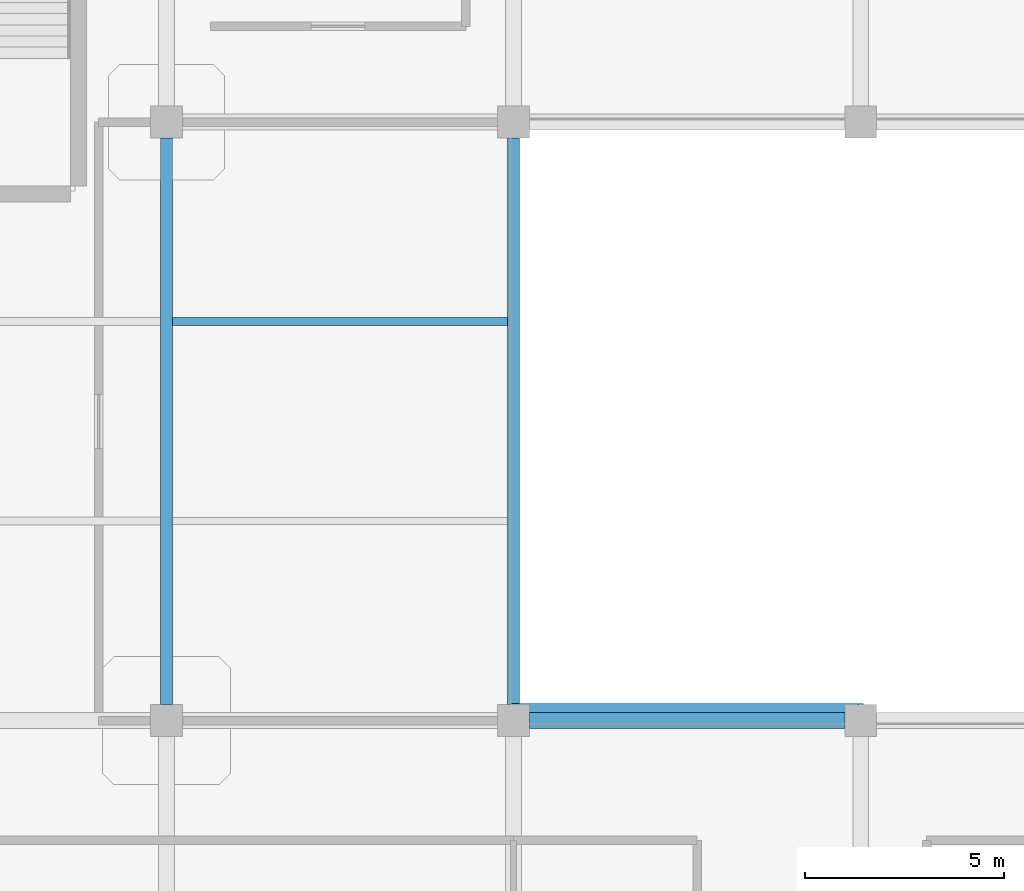
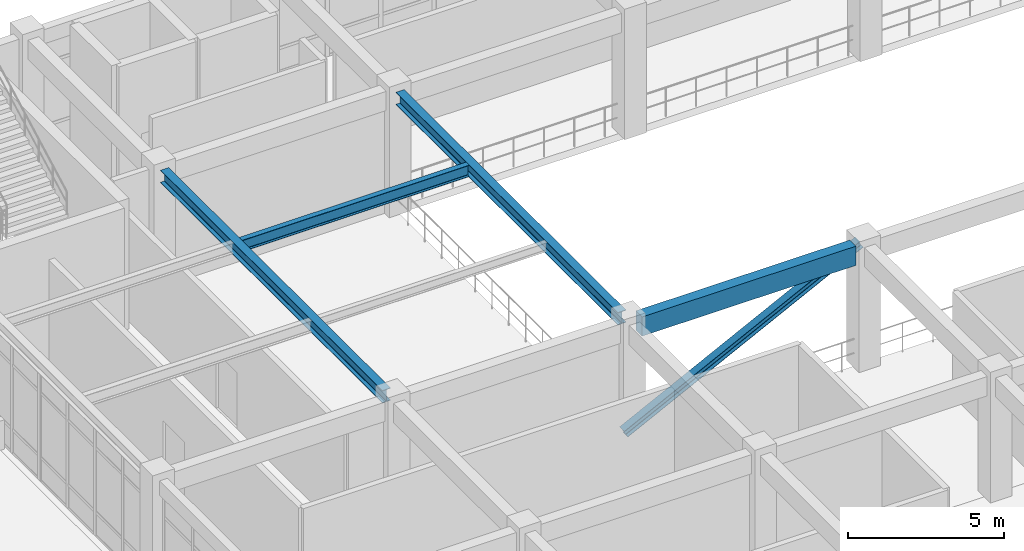
# One storey, part 28 of 124: 4 beams, 1 member.
"""IFC4 building model written with IfcOpenShell, lengths in metres."""

from ifc_helpers import new_model, si_unit, derived_unit, direction, frame, origin, origin_2d, place, context, subcontext, project, spatial, rectangle, i_section, extrude, material, material_profile, profile_set, type_object, element, save


model = new_model("IFC4")

# Units and contexts
model_context = context("Model", 3, precision=1e-05, world=origin(), true_north=direction((0.0, 1.0)))
body_context = subcontext(model_context, "Body", "Model", "MODEL_VIEW")
ifc_project = project(units=[si_unit("LENGTHUNIT", "METRE"), si_unit("AREAUNIT", "SQUARE_METRE"), si_unit("VOLUMEUNIT", "CUBIC_METRE"), si_unit("PLANEANGLEUNIT", "RADIAN"), si_unit("MASSUNIT", "GRAM", prefix="KILO"), derived_unit("THERMALTRANSMITTANCEUNIT", [(si_unit("MASSUNIT", "GRAM", prefix="KILO"), 1), (si_unit("TIMEUNIT", "SECOND"), -3), (si_unit("THERMODYNAMICTEMPERATUREUNIT", "KELVIN"), -1)])], contexts=[model_context])

# Site, building, storey
site_placement = place(None, origin())
site = spatial("IfcSite", under=ifc_project, at=site_placement, CompositionType="ELEMENT")
building_placement = place(site_placement, origin())
building = spatial("IfcBuilding", under=site, at=building_placement, Name="Qinzheling Arcade Emporium", CompositionType="ELEMENT")
storey_placement = place(building_placement, frame((0.0, 0.0, 16.5)))
storey = spatial("IfcBuildingStorey", under=building, at=storey_placement, Name="L04", CompositionType="ELEMENT", Elevation=16.5)

# Beams
ifc_material_1 = material(Name="Structural steel Q355B", Category="steel")
ifc_material_profile_1 = material_profile(ifc_material_1, i_section(OverallWidth=0.300048828125, OverallDepth=0.488037109375, WebThickness=0.010986328125, FlangeThickness=0.01806640625, FilletRadius=0.02197265625, at=origin_2d()), Name="HM 488x300x11x18", Category="steel")
ifc_profile_set_1 = profile_set([ifc_material_profile_1], Name="Structural steel Q355B")
beam_type_1 = type_object("IfcBeamType", Name="Atrium Bridge Girder HM488 Q355B", PredefinedType="USERDEFINED", material=ifc_profile_set_1)
for number, where, z_axis, x_axis, name in (
    (1, (43.5, 50.800048828125, 4.575927734375), (0.0, 1.0, 0.0), (-1.0, 0.0, 0.0), "Beam BM-L04-Y-6-G"),
    (2, (52.199951171875, 50.800048828125, 4.575927734375), (0.0, 1.0, 0.0), (-1.0, 0.0, 0.0), "Beam BM-L04-Y-7-G"),
):
    element("IfcBeam", number, at=place(storey_placement, frame(where, z_axis=z_axis, x_axis=x_axis)), inside=storey, type_object=beam_type_1, Name=name, ObjectType="TRANSFER_GIRDER", PredefinedType="USERDEFINED", context=body_context, shape_type="SweptSolid", body=[
        extrude(i_section(OverallWidth=0.300048828125, OverallDepth=0.488037109375, WebThickness=0.010986328125, FlangeThickness=0.01806640625, FilletRadius=0.02197265625, at=origin_2d()), origin(), (0.0, 0.0, 1.0), 14.199951171875),
    ])

# Member
ifc_material_profile_2 = material_profile(ifc_material_1, i_section(OverallWidth=0.300048828125, OverallDepth=0.300048828125, WebThickness=0.010009765625, FlangeThickness=0.014892578125, FilletRadius=0.01806640625, at=origin_2d()), Name="HW 300x300x10x15", Category="steel")
ifc_profile_set_2 = profile_set([ifc_material_profile_2], Name="Structural steel Q355B")
member_type = type_object("IfcMemberType", Name="Escalator Truss Stringer HW300 Q355B", PredefinedType="STRINGER", material=ifc_profile_set_2)
member_placement = place(storey_placement, frame((52.199951171875, 50.679931640625, 0.179931640625), z_axis=(0.893598137979, 0.0, 0.448867873434), x_axis=(0.0, 1.0, 0.0)))
element("IfcMember", 3, at=member_placement, inside=storey, type_object=member_type, Name="Escalator Stringer ESC-STR-L04-1", PredefinedType="STRINGER", context=body_context, shape_type="SweptSolid", body=[
    extrude(i_section(OverallWidth=0.300048828125, OverallDepth=0.300048828125, WebThickness=0.010009765625, FlangeThickness=0.014892578125, FilletRadius=0.01806640625, at=origin_2d()), origin(), (0.0, 0.0, 1.0), 9.73583984375),
])

# Beams
ifc_material_2 = material(Name="Concrete C40", Category="concrete")
ifc_material_profile_3 = material_profile(ifc_material_2, rectangle(XDim=0.39990234375, YDim=0.75, at=origin_2d()), Name="RC 400x750", Category="concrete")
ifc_profile_set_3 = profile_set([ifc_material_profile_3], Name="Concrete C40")
beam_type_2 = type_object("IfcBeamType", Name="RC Interior Tie Beam 400x750 C40", PredefinedType="BEAM", material=ifc_profile_set_3)
beam_1_placement = place(storey_placement, frame((52.60009765625, 50.39990234375, 4.445068359375), z_axis=(1.0, 0.0, 0.0), x_axis=(0.0, 1.0, 0.0)))
element("IfcBeam", 4, at=beam_1_placement, inside=storey, type_object=beam_type_2, Name="Beam BM-L04-X-G-7", PredefinedType="BEAM", context=body_context, shape_type="SweptSolid", body=[
    extrude(rectangle(XDim=0.39990234375, YDim=0.75, at=origin_2d()), origin(), (0.0, 0.0, 1.0), 7.89990234375),
])
ifc_material_profile_4 = material_profile(ifc_material_1, i_section(OverallWidth=0.199951171875, OverallDepth=0.449951171875, WebThickness=0.009033203125, FlangeThickness=0.013916015625, FilletRadius=0.01611328125, at=origin_2d()), Name="HN 450x200x9x14", Category="steel")
ifc_profile_set_4 = profile_set([ifc_material_profile_4], Name="Structural steel Q355B")
beam_type_3 = type_object("IfcBeamType", Name="Secondary Floor Joist HN450 Q355B", PredefinedType="JOIST", material=ifc_profile_set_4)
beam_2_placement = place(storey_placement, frame((43.655029296875, 60.39990234375, 4.594970703125), z_axis=(1.0, 0.0, 0.0), x_axis=(0.0, 1.0, 0.0)))
element("IfcBeam", 5, at=beam_2_placement, inside=storey, type_object=beam_type_3, Name="Secondary Joist JST-L04-6-2", PredefinedType="JOIST", context=body_context, shape_type="SweptSolid", body=[
    extrude(i_section(OverallWidth=0.199951171875, OverallDepth=0.449951171875, WebThickness=0.009033203125, FlangeThickness=0.013916015625, FilletRadius=0.01611328125, at=origin_2d()), origin(), (0.0, 0.0, 1.0), 8.389892578125),
])

save(model, "model.ifc")
